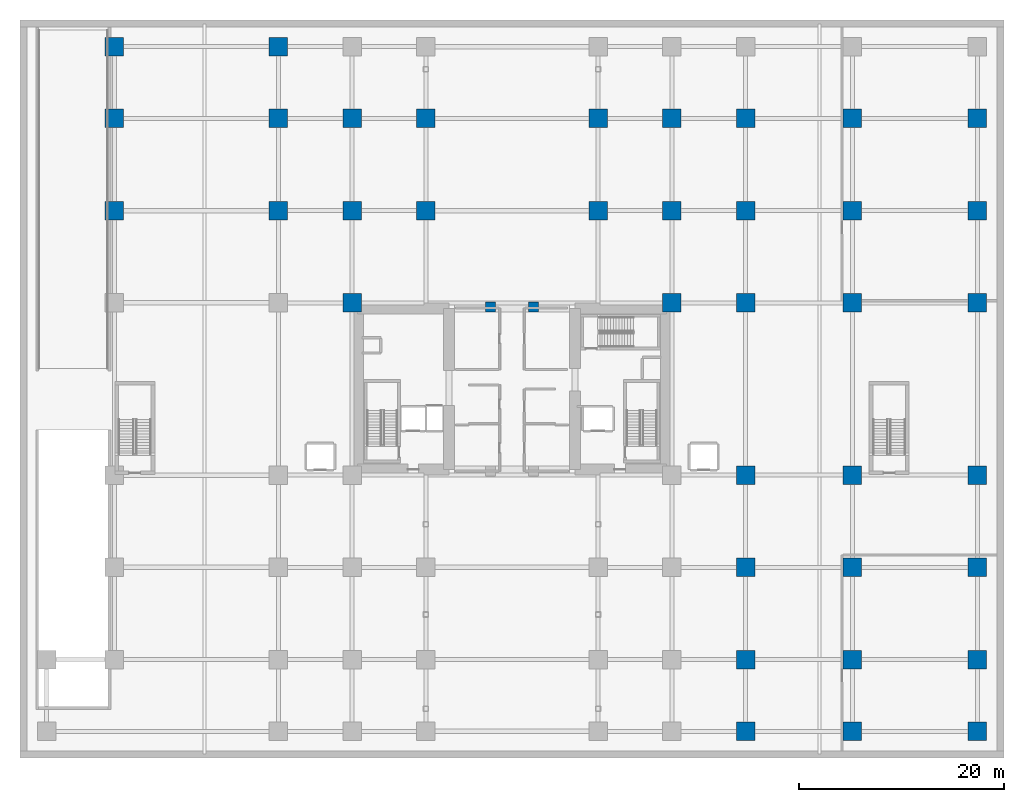
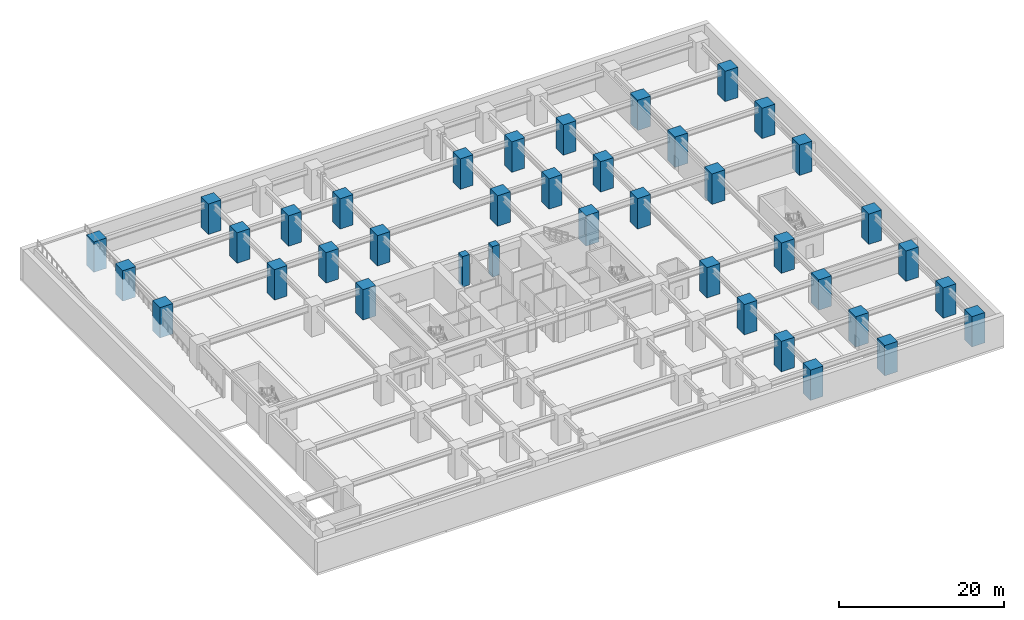
# One storey, part 2 of 20: 39 columns.
"""IFC4 building model written with IfcOpenShell, lengths in metres."""

from ifc_helpers import new_model, si_unit, direction, frame, origin, origin_2d, place, context, subcontext, project, spatial, rectangle, extrude, material, material_profile, profile_set, type_object, element, save


model = new_model("IFC4")

# Units and contexts
model_context = context("Model", 3, precision=1e-05, world=origin(), true_north=direction((0.0, 1.0)))
body_context = subcontext(model_context, "Body", "Model", "MODEL_VIEW")
ifc_project = project(units=[si_unit("LENGTHUNIT", "METRE"), si_unit("AREAUNIT", "SQUARE_METRE"), si_unit("VOLUMEUNIT", "CUBIC_METRE"), si_unit("PLANEANGLEUNIT", "RADIAN"), si_unit("MASSUNIT", "GRAM", prefix="KILO")], contexts=[model_context])

# Site, building, storey
site_placement = place(None, origin())
site = spatial("IfcSite", under=ifc_project, at=site_placement, CompositionType="ELEMENT")
building_placement = place(site_placement, origin())
building = spatial("IfcBuilding", under=site, at=building_placement, Name="Kiyonajd Concourse Tower", CompositionType="ELEMENT")
storey_placement = place(building_placement, frame((0.0, 0.0, -4.5)))
storey = spatial("IfcBuildingStorey", under=building, at=storey_placement, Name="B1", CompositionType="ELEMENT", Elevation=-4.5)

# Columns
ifc_material_1 = material(Name="Concrete C80/95", Category="concrete")
ifc_material_profile_1 = material_profile(ifc_material_1, rectangle(XDim=1.800048828125, YDim=1.800048828125, at=origin_2d()), Name="RC-1800x1800")
ifc_profile_set_1 = profile_set([ifc_material_profile_1], Name="Concrete C80/95")
column_type_1 = type_object("IfcColumnType", Name="CL-MEGA-1800", PredefinedType="COLUMN", material=ifc_profile_set_1)
for number, where, z_axis, x_axis, name in (
    (1, (9.199951171875, 53.39990234375, 0.0), (0.0, 0.0, 1.0), (1.0, 0.0, 0.0), "B1 Podium Mega Column"),
    (2, (9.199951171875, 62.39990234375, 0.0), (0.0, 0.0, 1.0), (1.0, 0.0, 0.0), "B1 Podium Mega Column"),
    (3, (9.199951171875, 69.39990234375, 0.0), (0.0, 0.0, 1.0), (1.0, 0.0, 0.0), "B1 Podium Mega Column"),
    (4, (25.199951171875, 53.39990234375, 0.0), (0.0, 0.0, 1.0), (1.0, 0.0, 0.0), "B1 Podium Mega Column"),
    (5, (25.199951171875, 62.39990234375, 0.0), (0.0, 0.0, 1.0), (1.0, 0.0, 0.0), "B1 Podium Mega Column"),
    (6, (25.199951171875, 69.39990234375, 0.0), (0.0, 0.0, 1.0), (1.0, 0.0, 0.0), "B1 Podium Mega Column"),
    (7, (32.39990234375, 44.39990234375, 0.0), (0.0, 0.0, 1.0), (1.0, 0.0, 0.0), "B1 Podium Mega Column"),
    (8, (32.39990234375, 53.39990234375, 0.0), (0.0, 0.0, 1.0), (1.0, 0.0, 0.0), "B1 Podium Mega Column"),
    (9, (32.39990234375, 62.39990234375, 0.0), (0.0, 0.0, 1.0), (1.0, 0.0, 0.0), "B1 Podium Mega Column"),
    (10, (39.60009765625, 53.39990234375, 0.0), (0.0, 0.0, 1.0), (1.0, 0.0, 0.0), "B1 Podium Mega Column"),
    (11, (39.60009765625, 62.39990234375, 0.0), (0.0, 0.0, 1.0), (1.0, 0.0, 0.0), "B1 Podium Mega Column"),
    (12, (56.39990234375, 53.39990234375, 0.0), (0.0, 0.0, 1.0), (1.0, 0.0, 0.0), "B1 Podium Mega Column"),
    (13, (56.39990234375, 62.39990234375, 0.0), (0.0, 0.0, 1.0), (1.0, 0.0, 0.0), "B1 Podium Mega Column"),
    (14, (63.60009765625, 44.39990234375, 0.0), (0.0, 0.0, 1.0), (1.0, 0.0, 0.0), "B1 Podium Mega Column"),
    (15, (63.60009765625, 53.39990234375, 0.0), (0.0, 0.0, 1.0), (1.0, 0.0, 0.0), "B1 Podium Mega Column"),
    (16, (63.60009765625, 62.39990234375, 0.0), (0.0, 0.0, 1.0), (1.0, 0.0, 0.0), "B1 Podium Mega Column"),
    (17, (70.800048828125, 2.60009765625, 0.0), (0.0, 0.0, 1.0), (1.0, 0.0, 0.0), "B1 Podium Mega Column"),
    (18, (70.800048828125, 9.60009765625, 0.0), (0.0, 0.0, 1.0), (1.0, 0.0, 0.0), "B1 Podium Mega Column"),
    (19, (70.800048828125, 18.60009765625, 0.0), (0.0, 0.0, 1.0), (1.0, 0.0, 0.0), "B1 Podium Mega Column"),
    (20, (70.800048828125, 27.60009765625, 0.0), (0.0, 0.0, 1.0), (1.0, 0.0, 0.0), "B1 Podium Mega Column"),
    (21, (70.800048828125, 44.39990234375, 0.0), (0.0, 0.0, 1.0), (1.0, 0.0, 0.0), "B1 Podium Mega Column"),
    (22, (70.800048828125, 53.39990234375, 0.0), (0.0, 0.0, 1.0), (1.0, 0.0, 0.0), "B1 Podium Mega Column"),
    (23, (70.800048828125, 62.39990234375, 0.0), (0.0, 0.0, 1.0), (1.0, 0.0, 0.0), "B1 Podium Mega Column"),
    (24, (81.199951171875, 2.60009765625, 0.0), (0.0, 0.0, 1.0), (1.0, 0.0, 0.0), "B1 Podium Mega Column"),
    (25, (81.199951171875, 9.60009765625, 0.0), (0.0, 0.0, 1.0), (1.0, 0.0, 0.0), "B1 Podium Mega Column"),
    (26, (81.199951171875, 18.60009765625, 0.0), (0.0, 0.0, 1.0), (1.0, 0.0, 0.0), "B1 Podium Mega Column"),
    (27, (81.199951171875, 27.60009765625, 0.0), (0.0, 0.0, 1.0), (1.0, 0.0, 0.0), "B1 Podium Mega Column"),
    (28, (81.199951171875, 44.39990234375, 0.0), (0.0, 0.0, 1.0), (1.0, 0.0, 0.0), "B1 Podium Mega Column"),
    (29, (81.199951171875, 53.39990234375, 0.0), (0.0, 0.0, 1.0), (1.0, 0.0, 0.0), "B1 Podium Mega Column"),
    (30, (81.199951171875, 62.39990234375, 0.0), (0.0, 0.0, 1.0), (1.0, 0.0, 0.0), "B1 Podium Mega Column"),
    (31, (93.39990234375, 2.60009765625, 0.0), (0.0, 0.0, 1.0), (1.0, 0.0, 0.0), "B1 Podium Mega Column"),
    (32, (93.39990234375, 9.60009765625, 0.0), (0.0, 0.0, 1.0), (1.0, 0.0, 0.0), "B1 Podium Mega Column"),
    (33, (93.39990234375, 18.60009765625, 0.0), (0.0, 0.0, 1.0), (1.0, 0.0, 0.0), "B1 Podium Mega Column"),
    (34, (93.39990234375, 27.60009765625, 0.0), (0.0, 0.0, 1.0), (1.0, 0.0, 0.0), "B1 Podium Mega Column"),
    (35, (93.39990234375, 44.39990234375, 0.0), (0.0, 0.0, 1.0), (1.0, 0.0, 0.0), "B1 Podium Mega Column"),
    (36, (93.39990234375, 53.39990234375, 0.0), (0.0, 0.0, 1.0), (1.0, 0.0, 0.0), "B1 Podium Mega Column"),
    (37, (93.39990234375, 62.39990234375, 0.0), (0.0, 0.0, 1.0), (1.0, 0.0, 0.0), "B1 Podium Mega Column"),
):
    element("IfcColumn", number, at=place(storey_placement, frame(where, z_axis=z_axis, x_axis=x_axis)), inside=storey, type_object=column_type_1, Name=name, PredefinedType="COLUMN", context=body_context, shape_type="SweptSolid", body=[
        extrude(rectangle(XDim=1.800048828125, YDim=1.800048828125, at=origin_2d()), origin(), (0.0, 0.0, 1.0), 4.5),
    ])
ifc_material_2 = material(Name="Concrete C60/75", Category="concrete")
ifc_material_profile_2 = material_profile(ifc_material_2, rectangle(XDim=1.0, YDim=1.0, at=origin_2d()), Name="RC-1000x1000")
ifc_profile_set_2 = profile_set([ifc_material_profile_2], Name="Concrete C60/75")
column_type_2 = type_object("IfcColumnType", Name="CL-TUBE-1000", PredefinedType="COLUMN", material=ifc_profile_set_2)
for number, where, z_axis, x_axis, name in (
    (38, (45.89990234375, 44.0, 0.0), (0.0, 0.0, 1.0), (1.0, 0.0, 0.0), "B1 Core Tie Column North West"),
    (39, (50.10009765625, 44.0, 0.0), (0.0, 0.0, 1.0), (1.0, 0.0, 0.0), "B1 Core Tie Column North East"),
):
    element("IfcColumn", number, at=place(storey_placement, frame(where, z_axis=z_axis, x_axis=x_axis)), inside=storey, type_object=column_type_2, Name=name, PredefinedType="COLUMN", context=body_context, shape_type="SweptSolid", body=[
        extrude(rectangle(XDim=1.0, YDim=1.0, at=origin_2d()), origin(), (0.0, 0.0, 1.0), 4.5),
    ])

save(model, "model.ifc")
